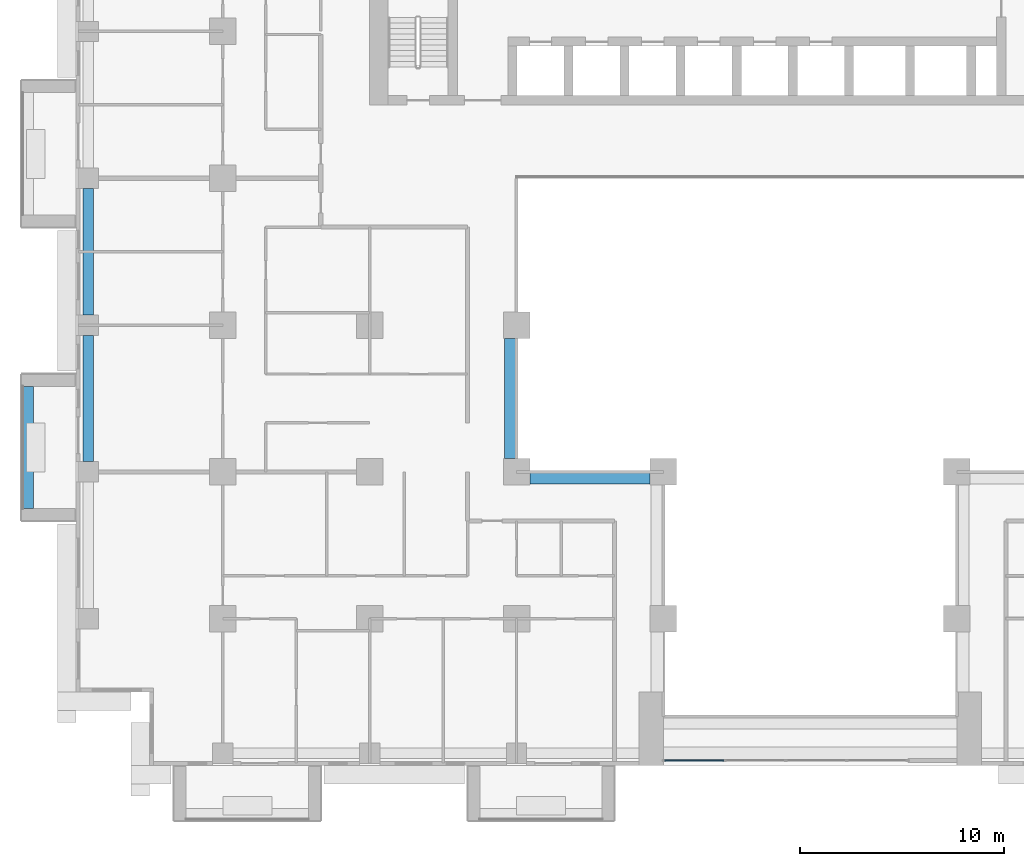
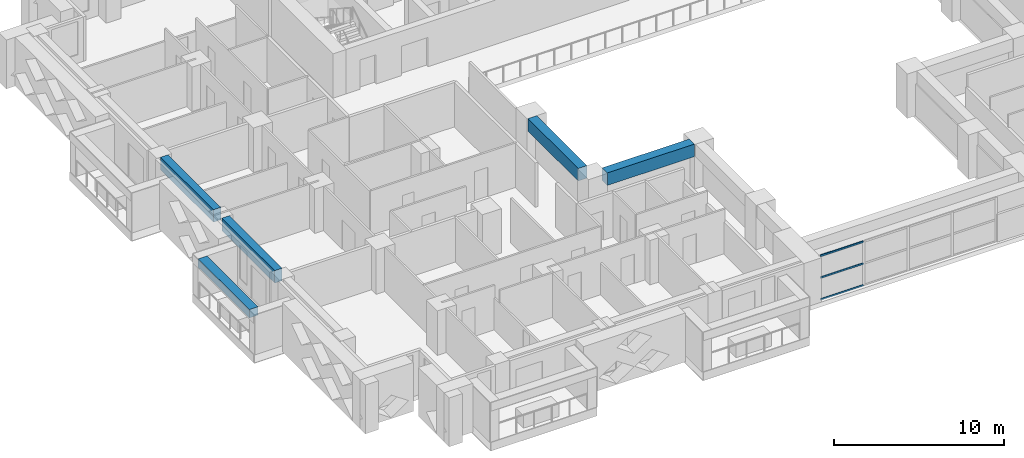
# One storey, part 3 of 17: 5 beams, 3 members, 1 element without a shape of its own.
"""IFC4 building model written with IfcOpenShell, lengths in metres."""

import ifcopenshell
import ifcopenshell.guid

model = None  # the IFC model being written
_history = None  # IfcOwnerHistory: only IFC2X3 demands one
_inside = {}  # id of a spatial element -> (the spatial element, [elements in it])
_under = {}  # id of a project, library or spatial element -> (it, [spatial elements below it])
_declared = {}  # id of a project -> (the project, [libraries it declares])
_typed = {}  # id of a type object -> (the type object, [elements of that type])
_made_of = {}  # id of a material, layer set ... -> (it, [elements and type objects made of it])


def new_model(schema):
    """Start an empty IFC model of exactly this schema.

    Asked for "IFC4X3", IfcOpenShell would pick the latest addendum, in which some entities
    have other attributes; the version numbers below select the first issue.
    IFC2X3 requires an IfcOwnerHistory on every rooted entity: one is made here for all.
    """
    global model, _history
    if schema == "IFC4X3":
        model = ifcopenshell.file(schema_version=(4, 3, 0, 0))
    else:
        model = ifcopenshell.file(schema=schema)
    _inside.clear()
    _under.clear()
    _declared.clear()
    _typed.clear()
    _made_of.clear()
    _history = None
    if model.schema == "IFC2X3":
        org = make("IfcOrganization", Name="unknown")
        user = make(
            "IfcPersonAndOrganization",
            ThePerson=make("IfcPerson", FamilyName="unknown"),
            TheOrganization=org,
        )
        app = make(
            "IfcApplication",
            ApplicationDeveloper=org,
            Version="unknown",
            ApplicationFullName="unknown",
            ApplicationIdentifier="unknown",
        )
        _history = make(
            "IfcOwnerHistory",
            OwningUser=user,
            OwningApplication=app,
            ChangeAction="ADDED",
            CreationDate=0,
        )
    return model


def make(cls, **values):
    """One entity of the class cls with the attributes given. An attribute that is None is left unset."""
    return model.create_entity(
        cls, **{name: value for name, value in values.items() if value is not None}
    )


def rooted(cls, **values):
    """An entity with a GlobalId (a new one), such as an element, a storey or a relation."""
    return make(cls, GlobalId=ifcopenshell.guid.new(), OwnerHistory=_history, **values)


def si_unit(unit_type, name, prefix=None):
    """IfcSIUnit, for example si_unit("LENGTHUNIT", "METRE", prefix="MILLI")."""
    return make("IfcSIUnit", UnitType=unit_type, Prefix=prefix, Name=name)


def assignment(units):
    """IfcUnitAssignment: the units of a project."""
    return None if units is None else make("IfcUnitAssignment", Units=units)


def point(xyz):
    """IfcCartesianPoint."""
    return None if xyz is None else make("IfcCartesianPoint", Coordinates=xyz)


def direction(xyz):
    """IfcDirection."""
    return None if xyz is None else make("IfcDirection", DirectionRatios=xyz)


def frame(location, z_axis=None, x_axis=None):
    """IfcAxis2Placement3D, a coordinate frame: its origin and axes. An axis left out is left unset."""
    return make(
        "IfcAxis2Placement3D",
        Location=point(location),
        Axis=direction(z_axis),
        RefDirection=direction(x_axis),
    )


def frame_2d(location, x_axis=None):
    """IfcAxis2Placement2D, a coordinate frame in the plane: its origin and x axis."""
    return make(
        "IfcAxis2Placement2D", Location=point(location), RefDirection=direction(x_axis)
    )


def origin():
    """The frame at (0, 0, 0) with its axes left unset."""
    return frame((0.0, 0.0, 0.0))


def origin_2d():
    """The frame at (0, 0) in the plane with its x axis left unset."""
    return frame_2d((0.0, 0.0))


def place(relative_to, where):
    """IfcLocalPlacement: puts the frame where relative to a parent placement (None: the world)."""
    return make(
        "IfcLocalPlacement", PlacementRelTo=relative_to, RelativePlacement=where
    )


def context(
    kind, dimensions, precision=None, world=None, true_north=None, identifier=None
):
    """IfcGeometricRepresentationContext, for example the 3D "Model" context."""
    return make(
        "IfcGeometricRepresentationContext",
        ContextIdentifier=identifier,
        ContextType=kind,
        CoordinateSpaceDimension=dimensions,
        Precision=precision,
        WorldCoordinateSystem=world,
        TrueNorth=true_north,
    )


def subcontext(parent, identifier, kind, view, scale=None):
    """IfcGeometricRepresentationSubContext, for example "Body" below "Model"."""
    return make(
        "IfcGeometricRepresentationSubContext",
        ContextIdentifier=identifier,
        ContextType=kind,
        ParentContext=parent,
        TargetScale=scale,
        TargetView=view,
    )


def project(units=None, contexts=None):
    """IfcProject with its units and contexts."""
    return rooted(
        "IfcProject",
        Name="project",
        RepresentationContexts=contexts,
        UnitsInContext=assignment(units),
    )


def spatial(cls, under=None, at=None, **own):
    """A site, building, storey or space (cls), placed at a placement, below another one or the project."""
    s = rooted(cls, ObjectPlacement=at, **own)
    if under is not None:
        _under.setdefault(under.id(), (under, []))[1].append(s)
    return s


def profile(cls, at=None, kind="AREA", **sizes):
    """A parametric profile (cls). Its sizes go by their IFC names, for example OverallWidth=200.0."""
    return make(cls, ProfileType=kind, Position=at, **sizes)


def rectangle(**sizes):
    """IfcRectangleProfileDef."""
    return profile("IfcRectangleProfileDef", **sizes)


def extrude(swept, where, along, depth):
    """IfcExtrudedAreaSolid: the profile swept, set in the frame where, extruded along a direction by depth."""
    return make(
        "IfcExtrudedAreaSolid",
        SweptArea=swept,
        Position=where,
        ExtrudedDirection=direction(along),
        Depth=depth,
    )


def shape(context_of_items, identifier, shape_type, items):
    """IfcShapeRepresentation: the items that make up one representation, for example the "Body"."""
    return make(
        "IfcShapeRepresentation",
        ContextOfItems=context_of_items,
        RepresentationIdentifier=identifier,
        RepresentationType=shape_type,
        Items=items,
    )


def source(mapping_origin, context_of_items, identifier, shape_type, items):
    """IfcRepresentationMap: a shape defined once, which mapped items show again and again."""
    return make(
        "IfcRepresentationMap",
        MappingOrigin=mapping_origin,
        MappedRepresentation=shape(context_of_items, identifier, shape_type, items),
    )


def transform(
    local_origin,
    x_axis=None,
    y_axis=None,
    z_axis=None,
    scale=None,
    scale2=None,
    scale3=None,
    uniform=True,
):
    """IfcCartesianTransformationOperator3D, or its non-uniform kind. x_axis, y_axis, z_axis: its Axis1, 2, 3."""
    if uniform:
        return make(
            "IfcCartesianTransformationOperator3D",
            Axis1=direction(x_axis),
            Axis2=direction(y_axis),
            LocalOrigin=point(local_origin),
            Scale=scale,
            Axis3=direction(z_axis),
        )
    return make(
        "IfcCartesianTransformationOperator3DnonUniform",
        Axis1=direction(x_axis),
        Axis2=direction(y_axis),
        LocalOrigin=point(local_origin),
        Scale=scale,
        Axis3=direction(z_axis),
        Scale2=scale2,
        Scale3=scale3,
    )


def mapped(mapping_source, mapping_target):
    """IfcMappedItem: shows the shape of a source again, moved by a transform."""
    return make(
        "IfcMappedItem", MappingSource=mapping_source, MappingTarget=mapping_target
    )


def material(Name=None, Category=None):
    """IfcMaterial."""
    return make("IfcMaterial", Name=Name, Category=Category)


def layer(
    of_material, thickness, ventilated=None, Name=None, Category=None, Priority=None
):
    """IfcMaterialLayer: one layer of a wall or slab, of a material (None: an air gap)."""
    return make(
        "IfcMaterialLayer",
        Material=of_material,
        LayerThickness=thickness,
        IsVentilated=ventilated,
        Name=Name,
        Category=Category,
        Priority=Priority,
    )


def layer_set(layers, Name=None):
    """IfcMaterialLayerSet."""
    return make("IfcMaterialLayerSet", MaterialLayers=layers, LayerSetName=Name)


def material_profile(
    of_material, cross_section, Name=None, Category=None, Priority=None
):
    """IfcMaterialProfile: a cross section and its material."""
    return make(
        "IfcMaterialProfile",
        Name=Name,
        Material=of_material,
        Profile=cross_section,
        Priority=Priority,
        Category=Category,
    )


def profile_set(profiles, Name=None, composite=None):
    """IfcMaterialProfileSet."""
    return make(
        "IfcMaterialProfileSet",
        Name=Name,
        MaterialProfiles=profiles,
        CompositeProfile=composite,
    )


def made_of(thing, what):
    """Note that an element or type object is made of a material, layer set ...; save() writes the relation."""
    if what is not None:
        _made_of.setdefault(what.id(), (what, []))[1].append(thing)
    return thing


def type_object(cls, material=None, **own):
    """A type object (cls), such as IfcWallType, which elements share."""
    return made_of(rooted(cls, **own), material)


def element(
    cls,
    number,
    at=None,
    inside=None,
    cuts=None,
    type_object=None,
    material=None,
    context=None,
    identifier="Body",
    shape_type=None,
    held_by="IfcProductDefinitionShape",
    body=None,
    shapes=None,
    **own,
):
    """One element of the class cls, such as IfcWall. Its Tag is "e" and its number.

    at: its placement. inside: the storey or other place that contains it. cuts: it is an
    opening in that element (IfcRelVoidsElement). A single representation is given by context,
    identifier, shape_type and body (its items); several are given by shapes. held_by: the class
    of the entity that holds the representations. save() writes the other relations.
    """
    e = rooted(cls, Tag="e%d" % number, ObjectPlacement=at, **own)
    if body is not None:
        shapes = [shape(context, identifier, shape_type, body)]
    if shapes is not None:
        e.Representation = make(held_by, Representations=shapes)
    if inside is not None:
        _inside.setdefault(inside.id(), (inside, []))[1].append(e)
    if cuts is not None:
        rooted(
            "IfcRelVoidsElement", RelatingBuildingElement=cuts, RelatedOpeningElement=e
        )
    if type_object is not None:
        _typed.setdefault(type_object.id(), (type_object, []))[1].append(e)
    return made_of(e, material)


def aggregate(whole, parts):
    """IfcRelAggregates: a whole, such as a stair, and the parts it consists of."""
    return rooted("IfcRelAggregates", RelatingObject=whole, RelatedObjects=parts)


def save(model, path):
    """Write the relations noted so far, then the file.

    IfcRelAggregates (storeys below a building ...), IfcRelContainedInSpatialStructure (elements
    in a storey), IfcRelDefinesByType, IfcRelAssociatesMaterial and IfcRelDeclares: one each for
    every whole, place, type object, material and project.
    """
    for whole, parts in _under.values():
        aggregate(whole, parts)
    for where, things in _inside.values():
        rooted(
            "IfcRelContainedInSpatialStructure",
            RelatedElements=things,
            RelatingStructure=where,
        )
    for kind, things in _typed.values():
        rooted("IfcRelDefinesByType", RelatedObjects=things, RelatingType=kind)
    for what, things in _made_of.values():
        rooted("IfcRelAssociatesMaterial", RelatedObjects=things, RelatingMaterial=what)
    for by, libraries in _declared.values():
        rooted("IfcRelDeclares", RelatingContext=by, RelatedDefinitions=libraries)
    model.write(path)


model = new_model("IFC4")

# Units and contexts
model_context = context("Model", 3, precision=1e-05, world=origin(), true_north=direction((0.0, 1.0)))
body_context = subcontext(model_context, "Body", "Model", "MODEL_VIEW")
ifc_project = project(units=[si_unit("LENGTHUNIT", "METRE"), si_unit("AREAUNIT", "SQUARE_METRE"), si_unit("VOLUMEUNIT", "CUBIC_METRE"), si_unit("PLANEANGLEUNIT", "RADIAN"), si_unit("MASSUNIT", "GRAM", prefix="KILO")], contexts=[model_context])

# Site, building, storey
site_placement = place(None, origin())
site = spatial("IfcSite", under=ifc_project, at=site_placement, CompositionType="ELEMENT")
building_placement = place(site_placement, origin())
building = spatial("IfcBuilding", under=site, at=building_placement, Name="Saffron Iwan Residences", CompositionType="ELEMENT")
storey_placement = place(building_placement, frame((0.0, 0.0, 76.0)))
storey = spatial("IfcBuildingStorey", under=building, at=storey_placement, Name="L19", CompositionType="ELEMENT", Elevation=76.0)

# Beams
ifc_material_1 = material(Name="Concrete C60/75", Category="concrete")
ifc_material_profile_1 = material_profile(ifc_material_1, rectangle(XDim=0.5, YDim=0.89990234375, at=origin_2d()), Name="RC 500x900")
ifc_profile_set_1 = profile_set([ifc_material_profile_1], Name="Concrete C60/75")
beam_type_1 = type_object("IfcBeamType", Name="SPANDREL BEAM RC 500x900 C60/75 TOP 3180", PredefinedType="SPANDREL", material=ifc_profile_set_1)
shared_shape_1 = source(origin(), body_context, "Body", "SweptSolid", [
    extrude(rectangle(XDim=0.5, YDim=0.89990234375, at=origin_2d()), origin(), (0.0, 0.0, 1.0), 6.199951171875),
])
for number, where, z_axis, x_axis, name in (
    (1, (15.0, 48.5, 2.72998046875), (0.0, 1.0, 0.0), (-1.0, 0.0, 0.0), "Spandrel beam"),
    (2, (15.0, 55.699951171875, 2.72998046875), (0.0, 1.0, 0.0), (-1.0, 0.0, 0.0), "Spandrel beam"),
):
    element("IfcBeam", number, at=place(storey_placement, frame(where, z_axis=z_axis, x_axis=x_axis)), inside=storey, type_object=beam_type_1, Name=name, PredefinedType="SPANDREL", context=body_context, shape_type="MappedRepresentation", body=[
        mapped(shared_shape_1, transform((0.0, 0.0, 0.0))),
    ])
ifc_material_profile_2 = material_profile(ifc_material_1, rectangle(XDim=0.60009765625, YDim=0.89990234375, at=origin_2d()), Name="RC 600x900")
ifc_profile_set_2 = profile_set([ifc_material_profile_2], Name="Concrete C60/75")
beam_type_2 = type_object("IfcBeamType", Name="BEAM RC 600x900 C60/75 TOP 3180", PredefinedType="BEAM", material=ifc_profile_set_2)
shared_shape_2 = source(origin(), body_context, "Body", "SweptSolid", [
    extrude(rectangle(XDim=0.60009765625, YDim=0.89990234375, at=origin_2d()), origin(), (0.0, 0.0, 1.0), 5.900146484375),
])
for number, where, z_axis, x_axis, name in (
    (3, (42.550048828125, 47.699951171875, 2.72998046875), (-1.0, 0.0, 0.0), (0.0, -1.0, 0.0), "Atrium edge beam"),
    (4, (35.699951171875, 48.64990234375, 2.72998046875), (0.0, 1.0, 0.0), (-1.0, 0.0, 0.0), "Atrium edge beam"),
):
    element("IfcBeam", number, at=place(storey_placement, frame(where, z_axis=z_axis, x_axis=x_axis)), inside=storey, type_object=beam_type_2, Name=name, PredefinedType="BEAM", context=body_context, shape_type="MappedRepresentation", body=[
        mapped(shared_shape_2, transform((0.0, 0.0, 0.0))),
    ])

# Curtain wall, members
ifc_material_2 = material(Name="Clear glass, laminated double glazed", Category="glass")
ifc_layer = layer(ifc_material_2, 0.199951171875)
ifc_layer_set = layer_set([ifc_layer], Name="Clear glass, laminated double glazed")
curtain_wall_type = type_object("IfcCurtainWallType", Name="CW-B IWAN PORTAL", PredefinedType="NOTDEFINED", material=ifc_layer_set)
curtain_wall_placement = place(storey_placement, origin())
curtain_wall = element("IfcCurtainWall", 5, at=curtain_wall_placement, inside=storey, type_object=curtain_wall_type, Name="Iwan portal glazing L19.1", PredefinedType="NOTDEFINED")
ifc_material_3 = material(Name="Aluminium 6063-T6", Category="aluminium")
ifc_material_profile_3 = material_profile(ifc_material_3, rectangle(XDim=0.06005859375, YDim=0.1201171875, at=origin_2d()), Name="CW-B TRANSOM 60 x 120")
ifc_profile_set_3 = profile_set([ifc_material_profile_3], Name="Aluminium 6063-T6")
member_type = type_object("IfcMemberType", Name="CW-B TRANSOM 60 x 120", PredefinedType="USERDEFINED", material=ifc_profile_set_3)
shared_shape_3 = source(origin(), body_context, "Body", "SweptSolid", [
    extrude(rectangle(XDim=0.06005859375, YDim=0.1201171875, at=origin_2d()), origin(), (0.0, 0.0, 1.0), 2.909912109375),
])
member_1_placement = place(storey_placement, frame((43.260009765625, 33.85009765625, 0.030029296875), z_axis=(1.0, 0.0, 0.0), x_axis=(0.0, 1.0, 0.0)))
member_1 = element("IfcMember", 6, at=member_1_placement, type_object=member_type, Name="CW-B transom 1.1", ObjectType="TRANSOM", PredefinedType="USERDEFINED", context=body_context, shape_type="MappedRepresentation", body=[
    mapped(shared_shape_3, transform((0.0, 0.0, 0.0))),
])
member_2_placement = place(storey_placement, frame((43.260009765625, 33.85009765625, 1.590087890625), z_axis=(1.0, 0.0, 0.0), x_axis=(0.0, 1.0, 0.0)))
member_2 = element("IfcMember", 7, at=member_2_placement, type_object=member_type, Name="CW-B transom 1.2", ObjectType="TRANSOM", PredefinedType="USERDEFINED", context=body_context, shape_type="MappedRepresentation", body=[
    mapped(shared_shape_3, transform((0.0, 0.0, 0.0))),
])
member_3_placement = place(storey_placement, frame((43.260009765625, 33.85009765625, 3.14990234375), z_axis=(1.0, 0.0, 0.0), x_axis=(0.0, 1.0, 0.0)))
member_3 = element("IfcMember", 8, at=member_3_placement, type_object=member_type, Name="CW-B transom 1.3", ObjectType="TRANSOM", PredefinedType="USERDEFINED", context=body_context, shape_type="MappedRepresentation", body=[
    mapped(shared_shape_3, transform((0.0, 0.0, 0.0))),
])
aggregate(curtain_wall, [member_1, member_2, member_3])

# Beam
ifc_material_4 = material(Name="Concrete C50/60 white painted", Category="concrete")
ifc_material_profile_4 = material_profile(ifc_material_4, rectangle(XDim=0.60009765625, YDim=0.60009765625, at=origin_2d()), Name="BALCONY FASCIA BEAM 600 x 600")
ifc_profile_set_4 = profile_set([ifc_material_profile_4], Name="Concrete C50/60 white painted")
beam_type_3 = type_object("IfcBeamType", Name="BALCONY FASCIA BEAM 600 x 600", PredefinedType="BEAM", material=ifc_profile_set_4)
shared_shape_4 = source(origin(), body_context, "Body", "SweptSolid", [
    extrude(rectangle(XDim=0.60009765625, YDim=0.60009765625, at=origin_2d()), origin(), (0.0, 0.0, 1.0), 6.0),
])
beam_placement = place(storey_placement, frame((12.0, 52.199951171875, 2.550048828125), z_axis=(0.0, -1.0, 0.0), x_axis=(1.0, 0.0, 0.0)))
element("IfcBeam", 9, at=beam_placement, inside=storey, type_object=beam_type_3, Name="Balcony fascia beam L19 F8-1", PredefinedType="BEAM", context=body_context, shape_type="MappedRepresentation", body=[
    mapped(shared_shape_4, transform((0.0, 0.0, 0.0))),
])

save(model, "model.ifc")
